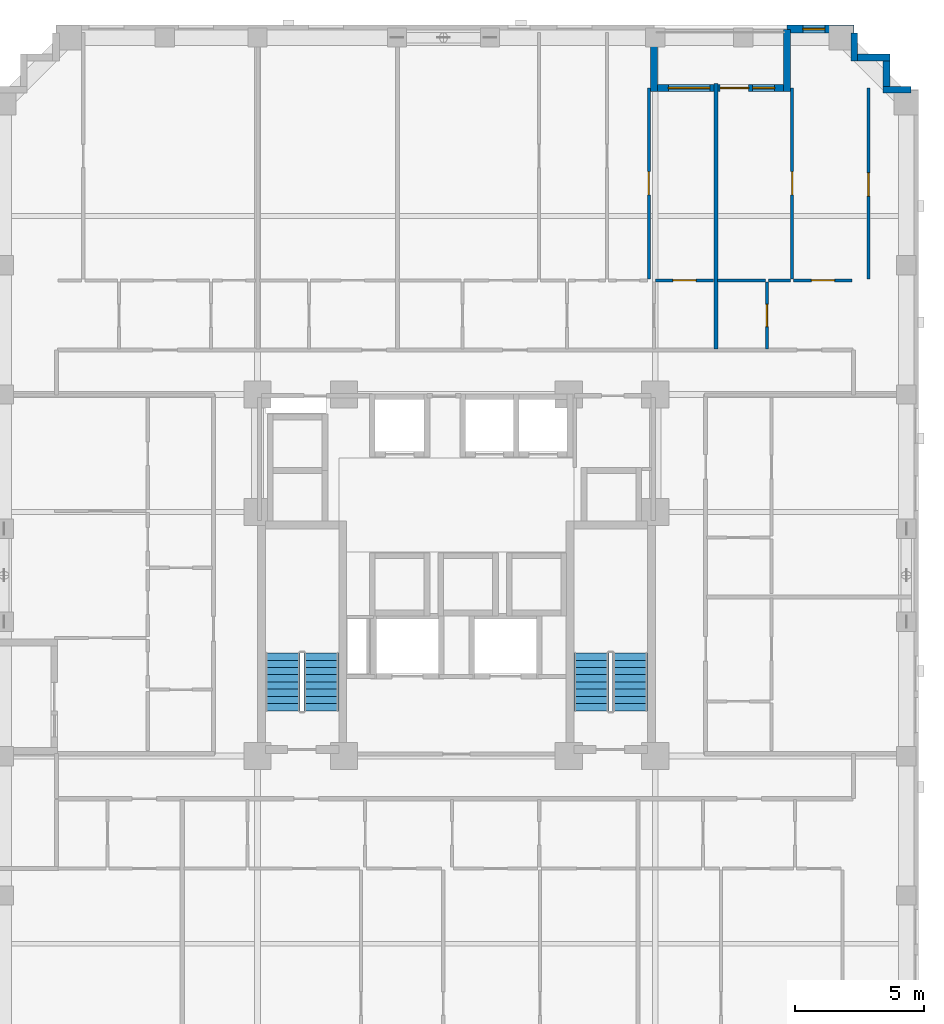
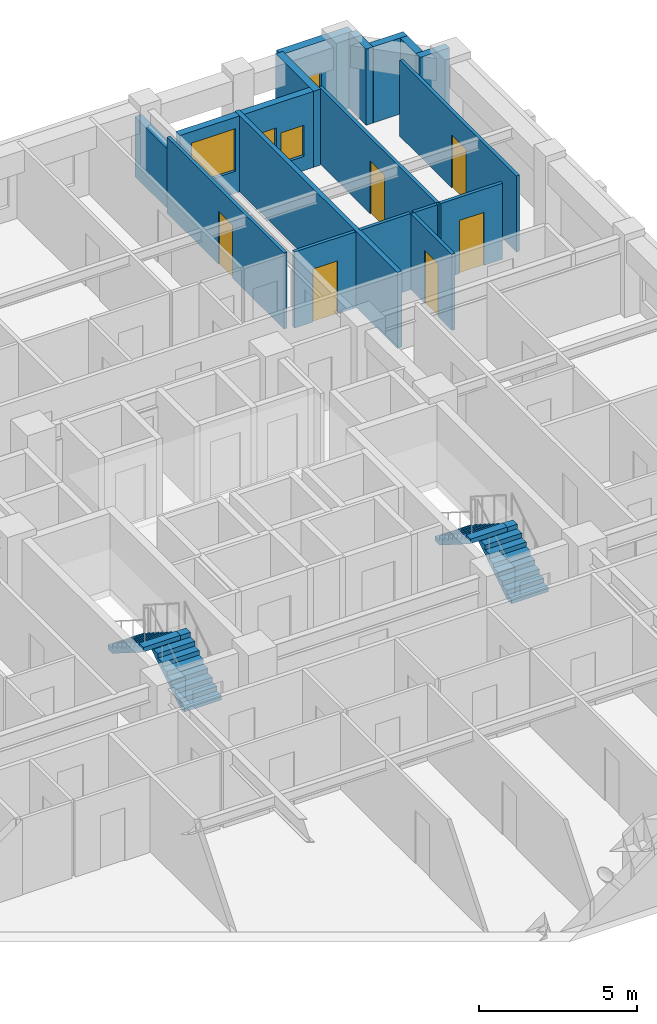
# One storey, part 8 of 12: 17 walls, 7 doors, 4 stair flights, 3 windows, 10 openings, 2 elements without a shape of their own.
"""IFC4 building model written with IfcOpenShell, lengths in metres."""

from ifc_helpers import new_model, si_unit, derived_unit, direction, frame, frame_2d, origin, place, context, subcontext, project, spatial, polyline, rectangle, outline, extrude, material, layer, layer_set, type_object, element, fill, aggregate, save


model = new_model("IFC4")

# Units and contexts
model_context = context("Model", 3, precision=1e-05, world=origin(), true_north=direction((0.0, 1.0)))
body_context = subcontext(model_context, "Body", "Model", "MODEL_VIEW")
ifc_project = project(units=[si_unit("LENGTHUNIT", "METRE"), si_unit("AREAUNIT", "SQUARE_METRE"), si_unit("VOLUMEUNIT", "CUBIC_METRE"), si_unit("PLANEANGLEUNIT", "RADIAN"), si_unit("MASSUNIT", "GRAM", prefix="KILO"), derived_unit("THERMALTRANSMITTANCEUNIT", [(si_unit("MASSUNIT", "GRAM", prefix="KILO"), 1), (si_unit("TIMEUNIT", "SECOND"), -3), (si_unit("THERMODYNAMICTEMPERATUREUNIT", "KELVIN"), -1)])], contexts=[model_context])

# Site, building, storey
site_placement = place(None, origin())
site = spatial("IfcSite", under=ifc_project, at=site_placement, CompositionType="ELEMENT")
building_placement = place(site_placement, origin())
building = spatial("IfcBuilding", under=site, at=building_placement, Name="Korrvale Station Residences", CompositionType="ELEMENT")
storey_placement = place(building_placement, frame((0.0, 0.0, 107.10009765625)))
storey = spatial("IfcBuildingStorey", under=building, at=storey_placement, Name="L30", CompositionType="ELEMENT", Elevation=107.10009765625)

# Wall
ifc_material_1 = material(Name="Precast concrete C45/55", Category="concrete")
ifc_layer_1 = layer(ifc_material_1, 0.260009765625, Name="Precast concrete C45/55")
ifc_layer_set_1 = layer_set([ifc_layer_1], Name="Precast concrete C45/55")
wall_type_1 = type_object("IfcWallType", Name="WAL-EXT-LOG260", PredefinedType="SOLIDWALL", material=ifc_layer_set_1)
wall_1_placement = place(storey_placement, frame((33.14990234375, 43.139892578125, 0.0), z_axis=(0.0, 0.0, 1.0), x_axis=(0.0, -1.0, 0.0)))
element("IfcWall", 1, at=wall_1_placement, inside=storey, type_object=wall_type_1, Name="L30 Recessed Loggia Wall BAL-L30-N1-L", PredefinedType="SOLIDWALL", context=body_context, shape_type="SweptSolid", body=[
    extrude(rectangle(XDim=2.39990234375, YDim=0.260009765625, at=frame_2d((1.199951171875, 0.0))), origin(), (0.0, 0.0, 1.0), 2.31298828125),
])

# Wall, openings, door, windows
wall_2_placement = place(storey_placement, frame((33.283935546875, 40.8701171875, 0.0), z_axis=(0.0, 0.0, 1.0), x_axis=(1.0, 0.0, 0.0)))
wall_2 = element("IfcWall", 2, at=wall_2_placement, inside=storey, type_object=wall_type_1, Name="L30 Recessed Loggia Wall BAL-L30-N1-B", PredefinedType="SOLIDWALL", context=body_context, shape_type="SweptSolid", body=[
    extrude(rectangle(XDim=4.882080078125, YDim=0.260009765625, at=frame_2d((2.44091796875, 0.0))), origin(), (0.0, 0.0, 1.0), 2.93994140625),
])
opening_1_placement = place(wall_2_placement, frame((2.426025390625, 0.0, 0.0)))
opening_1 = element("IfcOpeningElement", 3, at=opening_1_placement, cuts=wall_2, Name="Opening BD-01", PredefinedType="OPENING", context=body_context, shape_type="SweptSolid", body=[
    extrude(rectangle(XDim=1.10009765625, YDim=2.0, at=frame_2d((0.550048828125, 1.0))), frame((0.0, 0.14013671875, 0.0), z_axis=(0.0, -1.0, 0.0), x_axis=(1.0, 0.0, 0.0)), (0.0, 0.0, 1.0), 0.280029296875),
])
opening_2_placement = place(wall_2_placement, frame((0.426025390625, 0.0, 0.85009765625)))
opening_2 = element("IfcOpeningElement", 4, at=opening_2_placement, cuts=wall_2, Name="Opening W-05", PredefinedType="OPENING", context=body_context, shape_type="SweptSolid", body=[
    extrude(rectangle(XDim=1.60009765625, YDim=1.64990234375, at=frame_2d((0.800048828125, 0.824951171875))), frame((0.0, 0.14013671875, 0.0), z_axis=(0.0, -1.0, 0.0), x_axis=(1.0, 0.0, 0.0)), (0.0, 0.0, 1.0), 0.280029296875),
])
opening_3_placement = place(wall_2_placement, frame((3.68603515625, 0.0, 0.550048828125)))
opening_3 = element("IfcOpeningElement", 5, at=opening_3_placement, cuts=wall_2, Name="Opening W-11", PredefinedType="OPENING", context=body_context, shape_type="SweptSolid", body=[
    extrude(rectangle(XDim=0.85009765625, YDim=1.199951171875, at=frame_2d((0.425048828125, 0.60009765625))), frame((0.0, 0.14013671875, 0.0), z_axis=(0.0, -1.0, 0.0), x_axis=(1.0, 0.0, 0.0)), (0.0, 0.0, 1.0), 0.280029296875),
])
ifc_material_2 = material(Name="Exterior thermally broken aluminium glazed balcony door", Category="aluminium")
door_type_1 = type_object("IfcDoorType", Name="DR-EXT-BAL", OperationType="NOTDEFINED", PredefinedType="DOOR", material=ifc_material_2)
door_1_placement = place(opening_1_placement, origin())
door_1 = element("IfcDoor", 6, at=door_1_placement, inside=storey, type_object=door_type_1, Name="L30 Loggia Balcony Door BAL-L30-N1", OperationType="SINGLE_SWING_RIGHT", OverallHeight=2.0, OverallWidth=1.10009765625, PredefinedType="DOOR", context=body_context, shape_type="SweptSolid", body=[
    extrude(rectangle(XDim=1.10009765625, YDim=2.0, at=frame_2d((0.550048828125, 1.0))), frame((0.0, 0.02490234375, 0.0), z_axis=(0.0, -1.0, 0.0), x_axis=(1.0, 0.0, 0.0)), (0.0, 0.0, 1.0), 0.050048828125),
])
fill(opening_1, door_1)
ifc_material_3 = material(Name="Thermally broken aluminium frame with triple low-e glazing", Category="aluminium")
window_type_1 = type_object("IfcWindowType", Name="WIN-W05", PartitioningType="DOUBLE_PANEL_VERTICAL", PredefinedType="WINDOW", material=ifc_material_3)
window_1_placement = place(opening_2_placement, origin())
window_1 = element("IfcWindow", 7, at=window_1_placement, inside=storey, type_object=window_type_1, Name="L30 Punched Window 17", OverallHeight=1.64990234375, OverallWidth=1.60009765625, PartitioningType="DOUBLE_PANEL_VERTICAL", PredefinedType="WINDOW", context=body_context, shape_type="SweptSolid", body=[
    extrude(rectangle(XDim=1.60009765625, YDim=1.64990234375, at=frame_2d((0.800048828125, 0.824951171875))), frame((0.0, 0.030029296875, 0.0), z_axis=(0.0, -1.0, 0.0), x_axis=(1.0, 0.0, 0.0)), (0.0, 0.0, 1.0), 0.06005859375),
])
fill(opening_2, window_1)
window_type_2 = type_object("IfcWindowType", Name="WIN-W11", PartitioningType="SINGLE_PANEL", PredefinedType="WINDOW", material=ifc_material_3)
window_2_placement = place(opening_3_placement, origin())
window_2 = element("IfcWindow", 8, at=window_2_placement, inside=storey, type_object=window_type_2, Name="L30 Punched Window 18", OverallHeight=1.199951171875, OverallWidth=0.85009765625, PartitioningType="SINGLE_PANEL", PredefinedType="WINDOW", context=body_context, shape_type="SweptSolid", body=[
    extrude(rectangle(XDim=0.85009765625, YDim=1.199951171875, at=frame_2d((0.425048828125, 0.60009765625))), frame((0.0, 0.030029296875, 0.0), z_axis=(0.0, -1.0, 0.0), x_axis=(1.0, 0.0, 0.0)), (0.0, 0.0, 1.0), 0.06005859375),
])
fill(opening_3, window_2)

# Walls
wall_3_placement = place(storey_placement, frame((38.300048828125, 40.739990234375, 0.0), z_axis=(0.0, 0.0, 1.0), x_axis=(0.0, 1.0, 0.0)))
element("IfcWall", 9, at=wall_3_placement, inside=storey, type_object=wall_type_1, Name="L30 Recessed Loggia Wall BAL-L30-N1-R", PredefinedType="SOLIDWALL", context=body_context, shape_type="SweptSolid", body=[
    extrude(rectangle(XDim=2.39990234375, YDim=0.260009765625, at=frame_2d((1.199951171875, 0.0))), origin(), (0.0, 0.0, 1.0), 2.93994140625),
])
wall_4_placement = place(storey_placement, frame((40.89990234375, 42.998046875, 0.0), z_axis=(0.0, 0.0, 1.0), x_axis=(0.0, -1.0, 0.0)))
element("IfcWall", 10, at=wall_4_placement, inside=storey, type_object=wall_type_1, Name="L30 Serrated Corner Precast Step NE-1", PredefinedType="SOLIDWALL", context=body_context, shape_type="SweptSolid", body=[
    extrude(rectangle(XDim=1.078125, YDim=0.260009765625, at=frame_2d((0.5390625, 0.0))), origin(), (0.0, 0.0, 1.0), 2.93994140625),
])
wall_5_placement = place(storey_placement, frame((41.031982421875, 42.050048828125, 0.0), z_axis=(0.0, 0.0, 1.0), x_axis=(1.0, 0.0, 0.0)))
element("IfcWall", 11, at=wall_5_placement, inside=storey, type_object=wall_type_1, Name="L30 Serrated Corner Precast Step NE-2", PredefinedType="SOLIDWALL", context=body_context, shape_type="SweptSolid", body=[
    extrude(rectangle(XDim=1.248046875, YDim=0.260009765625, at=frame_2d((0.6240234375, 0.0))), origin(), (0.0, 0.0, 1.0), 2.93994140625),
])
wall_6_placement = place(storey_placement, frame((42.14990234375, 41.91796875, 0.0), z_axis=(0.0, 0.0, 1.0), x_axis=(0.0, -1.0, 0.0)))
element("IfcWall", 12, at=wall_6_placement, inside=storey, type_object=wall_type_1, Name="L30 Serrated Corner Precast Step NE-3", PredefinedType="SOLIDWALL", context=body_context, shape_type="SweptSolid", body=[
    extrude(rectangle(XDim=0.986083984375, YDim=0.260009765625, at=frame_2d((0.4931640625, 0.0))), origin(), (0.0, 0.0, 1.0), 2.93994140625),
])
wall_7_placement = place(storey_placement, frame((42.02001953125, 40.800048828125, 0.0), z_axis=(0.0, 0.0, 1.0), x_axis=(1.0, 0.0, 0.0)))
element("IfcWall", 13, at=wall_7_placement, inside=storey, type_object=wall_type_1, Name="L30 Serrated Corner Precast Step NE-4", PredefinedType="SOLIDWALL", context=body_context, shape_type="SweptSolid", body=[
    extrude(rectangle(XDim=1.077880859375, YDim=0.260009765625, at=frame_2d((0.5390625, 0.0))), origin(), (0.0, 0.0, 1.0), 2.93994140625),
])

# Wall, opening, window
ifc_layer_2 = layer(ifc_material_1, 0.300048828125, Name="Precast concrete C45/55")
ifc_layer_set_2 = layer_set([ifc_layer_2], Name="Precast concrete C45/55")
wall_type_2 = type_object("IfcWallType", Name="WAL-EXT-PC300", PredefinedType="SOLIDWALL", material=ifc_layer_set_2)
wall_8_placement = place(storey_placement, frame((38.300048828125, 43.14990234375, 0.0), z_axis=(0.0, 0.0, 1.0), x_axis=(1.0, 0.0, 0.0)))
wall_8 = element("IfcWall", 14, at=wall_8_placement, inside=storey, type_object=wall_type_2, Name="L30 North Exterior Precast Wall 2", PredefinedType="SOLIDWALL", context=body_context, shape_type="SweptSolid", body=[
    extrude(rectangle(XDim=2.599853515625, YDim=0.300048828125, at=frame_2d((1.2998046875, 0.0))), origin(), (0.0, 0.0, 1.0), 2.93994140625),
])
opening_4_placement = place(wall_8_placement, frame((0.614990234375, 0.0, 0.550048828125)))
opening_4 = element("IfcOpeningElement", 15, at=opening_4_placement, cuts=wall_8, Name="Opening W-11", PredefinedType="OPENING", context=body_context, shape_type="SweptSolid", body=[
    extrude(rectangle(XDim=0.85009765625, YDim=1.199951171875, at=frame_2d((0.425048828125, 0.60009765625))), frame((0.0, 0.16015625, 0.0), z_axis=(0.0, -1.0, 0.0), x_axis=(1.0, 0.0, 0.0)), (0.0, 0.0, 1.0), 0.320068359375),
])
window_3_placement = place(opening_4_placement, origin())
window_3 = element("IfcWindow", 16, at=window_3_placement, inside=storey, type_object=window_type_2, Name="L30 Punched Window 19", OverallHeight=1.199951171875, OverallWidth=0.85009765625, PartitioningType="SINGLE_PANEL", PredefinedType="WINDOW", context=body_context, shape_type="SweptSolid", body=[
    extrude(rectangle(XDim=0.85009765625, YDim=1.199951171875, at=frame_2d((0.425048828125, 0.60009765625))), frame((0.0, 0.030029296875, 0.0), z_axis=(0.0, -1.0, 0.0), x_axis=(1.0, 0.0, 0.0)), (0.0, 0.0, 1.0), 0.06005859375),
])
fill(opening_4, window_3)

# Wall, opening, door
ifc_material_4 = material(Name="Acoustic steel-stud gypsum board partition", Category="steel")
ifc_layer_3 = layer(ifc_material_4, 0.1201171875, Name="Acoustic steel-stud gypsum board partition")
ifc_layer_set_3 = layer_set([ifc_layer_3], Name="Acoustic steel-stud gypsum board partition")
wall_type_3 = type_object("IfcWallType", Name="WAL-PART-125", PredefinedType="PARTITIONING", material=ifc_layer_set_3)
wall_9_placement = place(storey_placement, frame((33.2099609375, 33.419921875, 0.0), z_axis=(0.0, 0.0, 1.0), x_axis=(1.0, 0.0, 0.0)))
wall_9 = element("IfcWall", 17, at=wall_9_placement, inside=storey, type_object=wall_type_3, Name="L30 Suite Partition U06-H37", PredefinedType="PARTITIONING", context=body_context, shape_type="SweptSolid", body=[
    extrude(rectangle(XDim=2.239990234375, YDim=0.1201171875, at=frame_2d((1.1201171875, 0.0))), origin(), (0.0, 0.0, 1.0), 2.93994140625),
])
opening_5_placement = place(wall_9_placement, frame((0.669921875, 0.0, 0.0)))
opening_5 = element("IfcOpeningElement", 18, at=opening_5_placement, cuts=wall_9, Name="Opening DI-900", PredefinedType="OPENING", context=body_context, shape_type="SweptSolid", body=[
    extrude(rectangle(XDim=0.89990234375, YDim=2.050048828125, at=frame_2d((0.449951171875, 1.02490234375))), frame((0.0, 0.070068359375, 0.0), z_axis=(0.0, -1.0, 0.0), x_axis=(1.0, 0.0, 0.0)), (0.0, 0.0, 1.0), 0.14013671875),
])
ifc_material_5 = material(Name="Painted solid-core timber interior room door", Category="wood")
door_type_2 = type_object("IfcDoorType", Name="DR-INT-900", OperationType="NOTDEFINED", PredefinedType="DOOR", material=ifc_material_5)
door_2_placement = place(opening_5_placement, origin())
door_2 = element("IfcDoor", 19, at=door_2_placement, inside=storey, type_object=door_type_2, Name="L30 Apartment 2BR L30-U06 Utility and Laundry Room Door", OperationType="SINGLE_SWING_RIGHT", OverallHeight=2.050048828125, OverallWidth=0.89990234375, PredefinedType="DOOR", context=body_context, shape_type="SweptSolid", body=[
    extrude(rectangle(XDim=0.89990234375, YDim=2.050048828125, at=frame_2d((0.449951171875, 1.02490234375))), frame((0.0, 0.02490234375, 0.0), z_axis=(0.0, -1.0, 0.0), x_axis=(1.0, 0.0, 0.0)), (0.0, 0.0, 1.0), 0.050048828125),
])
fill(opening_5, door_2)

wall_10_placement = place(storey_placement, frame((32.949951171875, 33.47998046875, 0.0), z_axis=(0.0, 0.0, 1.0), x_axis=(0.0, 1.0, 0.0)))
wall_10 = element("IfcWall", 20, at=wall_10_placement, inside=storey, type_object=wall_type_3, Name="L30 Suite Partition U06-V67", PredefinedType="PARTITIONING", context=body_context, shape_type="SweptSolid", body=[
    extrude(rectangle(XDim=7.39013671875, YDim=0.1201171875, at=frame_2d((3.695068359375, 0.0))), origin(), (0.0, 0.0, 1.0), 2.93994140625),
])
opening_6_placement = place(wall_10_placement, frame((3.2451171875, 0.0, 0.0)))
opening_6 = element("IfcOpeningElement", 21, at=opening_6_placement, cuts=wall_10, Name="Opening DI-900", PredefinedType="OPENING", context=body_context, shape_type="SweptSolid", body=[
    extrude(rectangle(XDim=0.89990234375, YDim=2.050048828125, at=frame_2d((0.449951171875, 1.02490234375))), frame((0.0, 0.070068359375, 0.0), z_axis=(0.0, -1.0, 0.0), x_axis=(1.0, 0.0, 0.0)), (0.0, 0.0, 1.0), 0.14013671875),
])
door_3_placement = place(opening_6_placement, origin())
door_3 = element("IfcDoor", 22, at=door_3_placement, inside=storey, type_object=door_type_2, Name="L30 Apartment 2BR L30-U06 Dressing Closet 1 Door", OperationType="SINGLE_SWING_LEFT", OverallHeight=2.050048828125, OverallWidth=0.89990234375, PredefinedType="DOOR", context=body_context, shape_type="SweptSolid", body=[
    extrude(rectangle(XDim=0.89990234375, YDim=2.050048828125, at=frame_2d((0.449951171875, 1.02490234375))), frame((0.0, 0.02490234375, 0.0), z_axis=(0.0, -1.0, 0.0), x_axis=(1.0, 0.0, 0.0)), (0.0, 0.0, 1.0), 0.050048828125),
])
fill(opening_6, door_3)

wall_11_placement = place(storey_placement, frame((37.52001953125, 30.760009765625, 0.0), z_axis=(0.0, 0.0, 1.0), x_axis=(0.0, 1.0, 0.0)))
wall_11 = element("IfcWall", 23, at=wall_11_placement, inside=storey, type_object=wall_type_3, Name="L30 Suite Partition U07-V01", PredefinedType="PARTITIONING", context=body_context, shape_type="SweptSolid", body=[
    extrude(rectangle(XDim=2.60009765625, YDim=0.1201171875, at=frame_2d((1.300048828125, 0.0))), origin(), (0.0, 0.0, 1.0), 2.93994140625),
])
opening_7_placement = place(wall_11_placement, frame((0.8701171875, 0.0, 0.0)))
opening_7 = element("IfcOpeningElement", 24, at=opening_7_placement, cuts=wall_11, Name="Opening DB-860", PredefinedType="OPENING", context=body_context, shape_type="SweptSolid", body=[
    extrude(rectangle(XDim=0.860107421875, YDim=2.050048828125, at=frame_2d((0.43017578125, 1.02490234375))), frame((0.0, 0.070068359375, 0.0), z_axis=(0.0, -1.0, 0.0), x_axis=(1.0, 0.0, 0.0)), (0.0, 0.0, 1.0), 0.14013671875),
])
ifc_material_6 = material(Name="Moisture-resistant solid-core bathroom door", Category="timber")
door_type_3 = type_object("IfcDoorType", Name="DR-BATH-860", OperationType="NOTDEFINED", PredefinedType="DOOR", material=ifc_material_6)
door_4_placement = place(opening_7_placement, origin())
door_4 = element("IfcDoor", 25, at=door_4_placement, inside=storey, type_object=door_type_3, Name="L30 Apartment 1BR L30-U07 Bathroom Door", OperationType="SINGLE_SWING_RIGHT", OverallHeight=2.050048828125, OverallWidth=0.860107421875, PredefinedType="DOOR", context=body_context, shape_type="SweptSolid", body=[
    extrude(rectangle(XDim=0.860107421875, YDim=2.050048828125, at=frame_2d((0.43017578125, 1.02490234375))), frame((0.0, 0.02490234375, 0.0), z_axis=(0.0, -1.0, 0.0), x_axis=(1.0, 0.0, 0.0)), (0.0, 0.0, 1.0), 0.050048828125),
])
fill(opening_7, door_4)

# Walls
wall_12_placement = place(storey_placement, frame((35.610107421875, 33.419921875, 0.0), z_axis=(0.0, 0.0, 1.0), x_axis=(1.0, 0.0, 0.0)))
element("IfcWall", 26, at=wall_12_placement, inside=storey, type_object=wall_type_3, Name="L30 Suite Partition U07-H02", PredefinedType="PARTITIONING", context=body_context, shape_type="SweptSolid", body=[
    extrude(rectangle(XDim=1.849853515625, YDim=0.1201171875, at=frame_2d((0.9248046875, 0.0))), origin(), (0.0, 0.0, 1.0), 2.93994140625),
])
wall_13_placement = place(storey_placement, frame((37.580078125, 33.419921875, 0.0), z_axis=(0.0, 0.0, 1.0), x_axis=(1.0, 0.0, 0.0)))
element("IfcWall", 27, at=wall_13_placement, inside=storey, type_object=wall_type_3, Name="L30 Suite Partition U07-H12", PredefinedType="PARTITIONING", context=body_context, shape_type="SweptSolid", body=[
    extrude(rectangle(XDim=0.85986328125, YDim=0.1201171875, at=frame_2d((0.429931640625, 0.0))), origin(), (0.0, 0.0, 1.0), 2.93994140625),
])

# Wall, opening, door
wall_14_placement = place(storey_placement, frame((38.56005859375, 33.419921875, 0.0), z_axis=(0.0, 0.0, 1.0), x_axis=(1.0, 0.0, 0.0)))
wall_14 = element("IfcWall", 28, at=wall_14_placement, inside=storey, type_object=wall_type_3, Name="L30 Suite Partition U07-H13", PredefinedType="PARTITIONING", context=body_context, shape_type="SweptSolid", body=[
    extrude(rectangle(XDim=2.260009765625, YDim=0.1201171875, at=frame_2d((1.1298828125, 0.0))), origin(), (0.0, 0.0, 1.0), 2.93994140625),
])
opening_8_placement = place(wall_14_placement, frame((0.679931640625, 0.0, 0.0)))
opening_8 = element("IfcOpeningElement", 29, at=opening_8_placement, cuts=wall_14, Name="Opening DI-900", PredefinedType="OPENING", context=body_context, shape_type="SweptSolid", body=[
    extrude(rectangle(XDim=0.89990234375, YDim=2.050048828125, at=frame_2d((0.449951171875, 1.02490234375))), frame((0.0, 0.070068359375, 0.0), z_axis=(0.0, -1.0, 0.0), x_axis=(1.0, 0.0, 0.0)), (0.0, 0.0, 1.0), 0.14013671875),
])
door_5_placement = place(opening_8_placement, origin())
door_5 = element("IfcDoor", 30, at=door_5_placement, inside=storey, type_object=door_type_2, Name="L30 Apartment 1BR L30-U07 Kitchen Door", OperationType="SINGLE_SWING_LEFT", OverallHeight=2.050048828125, OverallWidth=0.89990234375, PredefinedType="DOOR", context=body_context, shape_type="SweptSolid", body=[
    extrude(rectangle(XDim=0.89990234375, YDim=2.050048828125, at=frame_2d((0.449951171875, 1.02490234375))), frame((0.0, 0.02490234375, 0.0), z_axis=(0.0, -1.0, 0.0), x_axis=(1.0, 0.0, 0.0)), (0.0, 0.0, 1.0), 0.050048828125),
])
fill(opening_8, door_5)

wall_15_placement = place(storey_placement, frame((38.5, 33.47998046875, 0.0), z_axis=(0.0, 0.0, 1.0), x_axis=(0.0, 1.0, 0.0)))
wall_15 = element("IfcWall", 31, at=wall_15_placement, inside=storey, type_object=wall_type_3, Name="L30 Suite Partition U07-V23", PredefinedType="PARTITIONING", context=body_context, shape_type="SweptSolid", body=[
    extrude(rectangle(XDim=7.39013671875, YDim=0.1201171875, at=frame_2d((3.695068359375, 0.0))), origin(), (0.0, 0.0, 1.0), 2.93994140625),
])
opening_9_placement = place(wall_15_placement, frame((3.2451171875, 0.0, 0.0)))
opening_9 = element("IfcOpeningElement", 32, at=opening_9_placement, cuts=wall_15, Name="Opening DI-900", PredefinedType="OPENING", context=body_context, shape_type="SweptSolid", body=[
    extrude(rectangle(XDim=0.89990234375, YDim=2.050048828125, at=frame_2d((0.449951171875, 1.02490234375))), frame((0.0, 0.070068359375, 0.0), z_axis=(0.0, -1.0, 0.0), x_axis=(1.0, 0.0, 0.0)), (0.0, 0.0, 1.0), 0.14013671875),
])
door_6_placement = place(opening_9_placement, origin())
door_6 = element("IfcDoor", 33, at=door_6_placement, inside=storey, type_object=door_type_2, Name="L30 Apartment 1BR L30-U07 Living and Dining Room Door", OperationType="SINGLE_SWING_RIGHT", OverallHeight=2.050048828125, OverallWidth=0.89990234375, PredefinedType="DOOR", context=body_context, shape_type="SweptSolid", body=[
    extrude(rectangle(XDim=0.89990234375, YDim=2.050048828125, at=frame_2d((0.449951171875, 1.02490234375))), frame((0.0, 0.02490234375, 0.0), z_axis=(0.0, -1.0, 0.0), x_axis=(1.0, 0.0, 0.0)), (0.0, 0.0, 1.0), 0.050048828125),
])
fill(opening_9, door_6)

wall_16_placement = place(storey_placement, frame((41.449951171875, 33.47998046875, 0.0), z_axis=(0.0, 0.0, 1.0), x_axis=(0.0, 1.0, 0.0)))
wall_16 = element("IfcWall", 34, at=wall_16_placement, inside=storey, type_object=wall_type_3, Name="L30 Suite Partition U07-V34", PredefinedType="PARTITIONING", context=body_context, shape_type="SweptSolid", body=[
    extrude(rectangle(XDim=7.39013671875, YDim=0.1201171875, at=frame_2d((3.695068359375, 0.0))), origin(), (0.0, 0.0, 1.0), 2.93994140625),
])
opening_10_placement = place(wall_16_placement, frame((3.199951171875, 0.0, 0.0)))
opening_10 = element("IfcOpeningElement", 35, at=opening_10_placement, cuts=wall_16, Name="Opening DI-900", PredefinedType="OPENING", context=body_context, shape_type="SweptSolid", body=[
    extrude(rectangle(XDim=0.89990234375, YDim=2.050048828125, at=frame_2d((0.449951171875, 1.02490234375))), frame((0.0, 0.070068359375, 0.0), z_axis=(0.0, -1.0, 0.0), x_axis=(1.0, 0.0, 0.0)), (0.0, 0.0, 1.0), 0.14013671875),
])
door_7_placement = place(opening_10_placement, origin())
door_7 = element("IfcDoor", 36, at=door_7_placement, inside=storey, type_object=door_type_2, Name="L30 Apartment 1BR L30-U07 Bedroom 1 Door", OperationType="SINGLE_SWING_LEFT", OverallHeight=2.050048828125, OverallWidth=0.89990234375, PredefinedType="DOOR", context=body_context, shape_type="SweptSolid", body=[
    extrude(rectangle(XDim=0.89990234375, YDim=2.050048828125, at=frame_2d((0.449951171875, 1.02490234375))), frame((0.0, 0.02490234375, 0.0), z_axis=(0.0, -1.0, 0.0), x_axis=(1.0, 0.0, 0.0)), (0.0, 0.0, 1.0), 0.050048828125),
])
fill(opening_10, door_7)

# Wall
ifc_material_7 = material(Name="Fire-rated twin-stud gypsum and mineral wool shaftwall assembly", Category="gypsum")
ifc_layer_4 = layer(ifc_material_7, 0.159912109375, Name="Fire-rated twin-stud gypsum and mineral wool shaftwall assembly")
ifc_layer_set_4 = layer_set([ifc_layer_4], Name="Fire-rated twin-stud gypsum and mineral wool shaftwall assembly")
wall_type_4 = type_object("IfcWallType", Name="WAL-PART-200", PredefinedType="PARTITIONING", material=ifc_layer_set_4)
wall_17_placement = place(storey_placement, frame((35.550048828125, 30.760009765625, 0.0), z_axis=(0.0, 0.0, 1.0), x_axis=(0.0, 1.0, 0.0)))
element("IfcWall", 37, at=wall_17_placement, inside=storey, type_object=wall_type_4, Name="L30 Demising Wall U07-W", PredefinedType="PARTITIONING", context=body_context, shape_type="SweptSolid", body=[
    extrude(rectangle(XDim=10.280029296875, YDim=0.159912109375, at=frame_2d((5.14013671875, 0.0))), origin(), (0.0, 0.0, 1.0), 2.93994140625),
])

# Stair, stair flights
ifc_material_8 = material(Name="Concrete C50/60", Category="concrete")
stair_type = type_object("IfcStairType", Name="STR-DL-1350-18R-1778", PredefinedType="HALF_TURN_STAIR", material=ifc_material_8)
stair_1_placement = place(storey_placement, origin())
stair_1 = element("IfcStair", 38, at=stair_1_placement, inside=storey, type_object=stair_type, Name="L30 Exit Stair 1", PredefinedType="HALF_TURN_STAIR")
stair_flight_type = type_object("IfcStairFlightType", Name="FLT-DL-1350-18R-1778", PredefinedType="STRAIGHT", material=ifc_material_8)
stair_flight_1_placement = place(storey_placement, frame((20.27490234375, 16.75, 0.0), z_axis=(0.0, 0.0, 1.0), x_axis=(0.0, 1.0, 0.0)))
stair_flight_1 = element("IfcStairFlight", 39, at=stair_flight_1_placement, type_object=stair_flight_type, Name="ST-1 flight 1", NumberOfRisers=9, NumberOfTreads=8, PredefinedType="STRAIGHT", RiserHeight=0.177777778, TreadLength=0.28, context=body_context, shape_type="SweptSolid", body=[
    extrude(outline(polyline([(0.0, 0.0), (0.0, 0.177734375), (0.280029296875, 0.177734375), (0.280029296875, 0.35546875), (0.56005859375, 0.35546875), (0.56005859375, 0.533447265625), (0.840087890625, 0.533447265625), (0.840087890625, 0.711181640625), (1.1201171875, 0.711181640625), (1.1201171875, 0.888916015625), (1.39990234375, 0.888916015625), (1.39990234375, 1.066650390625), (1.679931640625, 1.066650390625), (1.679931640625, 1.244384765625), (1.9599609375, 1.244384765625), (1.9599609375, 1.422119140625), (2.239990234375, 1.422119140625), (2.239990234375, 1.60009765625), (2.239990234375, 1.24462890625), (0.27978515625, 0.0), (0.0, 0.0)])), frame((0.0, 0.675048828125, 0.0), z_axis=(0.0, -1.0, 0.0), x_axis=(1.0, 0.0, 0.0)), (0.0, 0.0, 1.0), 1.35009765625),
])
stair_flight_2_placement = place(storey_placement, frame((18.77490234375, 18.989990234375, 1.599853515625), z_axis=(0.0, 0.0, 1.0), x_axis=(0.0, -1.0, 0.0)))
stair_flight_2 = element("IfcStairFlight", 40, at=stair_flight_2_placement, type_object=stair_flight_type, Name="ST-1 flight 2", NumberOfRisers=9, NumberOfTreads=8, PredefinedType="STRAIGHT", RiserHeight=0.177777778, TreadLength=0.28, context=body_context, shape_type="SweptSolid", body=[
    extrude(outline(polyline([(0.0, 0.0), (0.0, 0.177734375), (0.280029296875, 0.177734375), (0.280029296875, 0.35546875), (0.56005859375, 0.35546875), (0.56005859375, 0.533447265625), (0.840087890625, 0.533447265625), (0.840087890625, 0.711181640625), (1.1201171875, 0.711181640625), (1.1201171875, 0.888916015625), (1.39990234375, 0.888916015625), (1.39990234375, 1.066650390625), (1.679931640625, 1.066650390625), (1.679931640625, 1.244384765625), (1.9599609375, 1.244384765625), (1.9599609375, 1.422119140625), (2.239990234375, 1.422119140625), (2.239990234375, 1.60009765625), (2.239990234375, 1.24462890625), (0.27978515625, 0.0), (0.0, 0.0)])), frame((0.0, 0.675048828125, 0.0), z_axis=(0.0, -1.0, 0.0), x_axis=(1.0, 0.0, 0.0)), (0.0, 0.0, 1.0), 1.35009765625),
])
aggregate(stair_1, [stair_flight_1, stair_flight_2])

stair_2_placement = place(storey_placement, origin())
stair_2 = element("IfcStair", 41, at=stair_2_placement, inside=storey, type_object=stair_type, Name="L30 Exit Stair 2", PredefinedType="HALF_TURN_STAIR")
stair_flight_3_placement = place(storey_placement, frame((32.22509765625, 16.75, 0.0), z_axis=(0.0, 0.0, 1.0), x_axis=(0.0, 1.0, 0.0)))
stair_flight_3 = element("IfcStairFlight", 42, at=stair_flight_3_placement, type_object=stair_flight_type, Name="ST-2 flight 1", NumberOfRisers=9, NumberOfTreads=8, PredefinedType="STRAIGHT", RiserHeight=0.177777778, TreadLength=0.28, context=body_context, shape_type="SweptSolid", body=[
    extrude(outline(polyline([(0.0, 0.0), (0.0, 0.177734375), (0.280029296875, 0.177734375), (0.280029296875, 0.35546875), (0.56005859375, 0.35546875), (0.56005859375, 0.533447265625), (0.840087890625, 0.533447265625), (0.840087890625, 0.711181640625), (1.1201171875, 0.711181640625), (1.1201171875, 0.888916015625), (1.39990234375, 0.888916015625), (1.39990234375, 1.066650390625), (1.679931640625, 1.066650390625), (1.679931640625, 1.244384765625), (1.9599609375, 1.244384765625), (1.9599609375, 1.422119140625), (2.239990234375, 1.422119140625), (2.239990234375, 1.60009765625), (2.239990234375, 1.24462890625), (0.27978515625, 0.0), (0.0, 0.0)])), frame((0.0, 0.675048828125, 0.0), z_axis=(0.0, -1.0, 0.0), x_axis=(1.0, 0.0, 0.0)), (0.0, 0.0, 1.0), 1.35009765625),
])
stair_flight_4_placement = place(storey_placement, frame((30.72509765625, 18.989990234375, 1.599853515625), z_axis=(0.0, 0.0, 1.0), x_axis=(0.0, -1.0, 0.0)))
stair_flight_4 = element("IfcStairFlight", 43, at=stair_flight_4_placement, type_object=stair_flight_type, Name="ST-2 flight 2", NumberOfRisers=9, NumberOfTreads=8, PredefinedType="STRAIGHT", RiserHeight=0.177777778, TreadLength=0.28, context=body_context, shape_type="SweptSolid", body=[
    extrude(outline(polyline([(0.0, 0.0), (0.0, 0.177734375), (0.280029296875, 0.177734375), (0.280029296875, 0.35546875), (0.56005859375, 0.35546875), (0.56005859375, 0.533447265625), (0.840087890625, 0.533447265625), (0.840087890625, 0.711181640625), (1.1201171875, 0.711181640625), (1.1201171875, 0.888916015625), (1.39990234375, 0.888916015625), (1.39990234375, 1.066650390625), (1.679931640625, 1.066650390625), (1.679931640625, 1.244384765625), (1.9599609375, 1.244384765625), (1.9599609375, 1.422119140625), (2.239990234375, 1.422119140625), (2.239990234375, 1.60009765625), (2.239990234375, 1.24462890625), (0.27978515625, 0.0), (0.0, 0.0)])), frame((0.0, 0.675048828125, 0.0), z_axis=(0.0, -1.0, 0.0), x_axis=(1.0, 0.0, 0.0)), (0.0, 0.0, 1.0), 1.35009765625),
])
aggregate(stair_2, [stair_flight_3, stair_flight_4])

save(model, "model.ifc")
